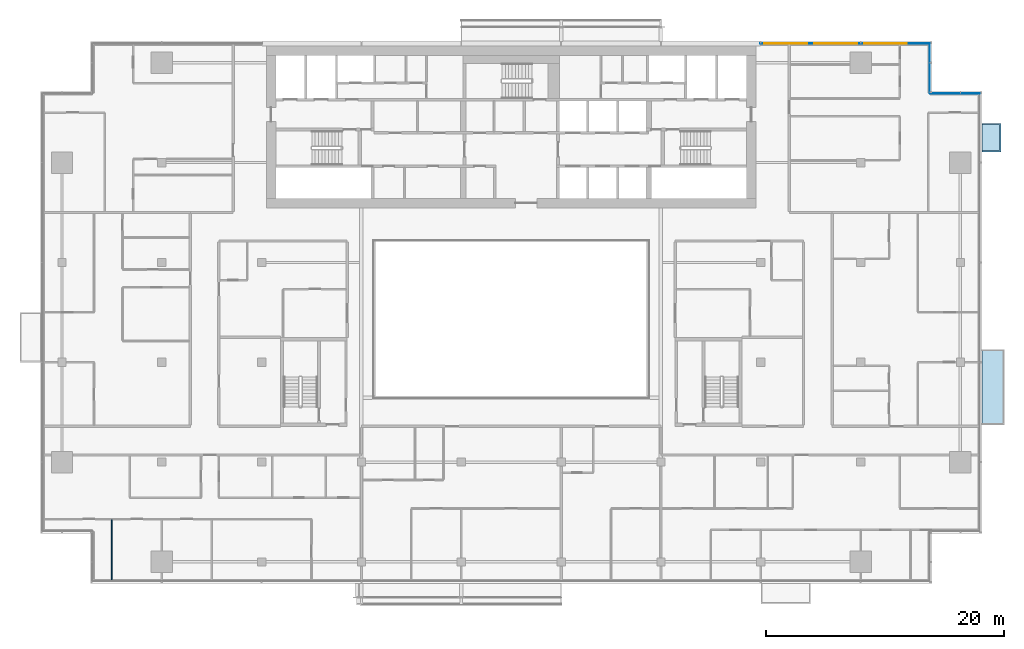
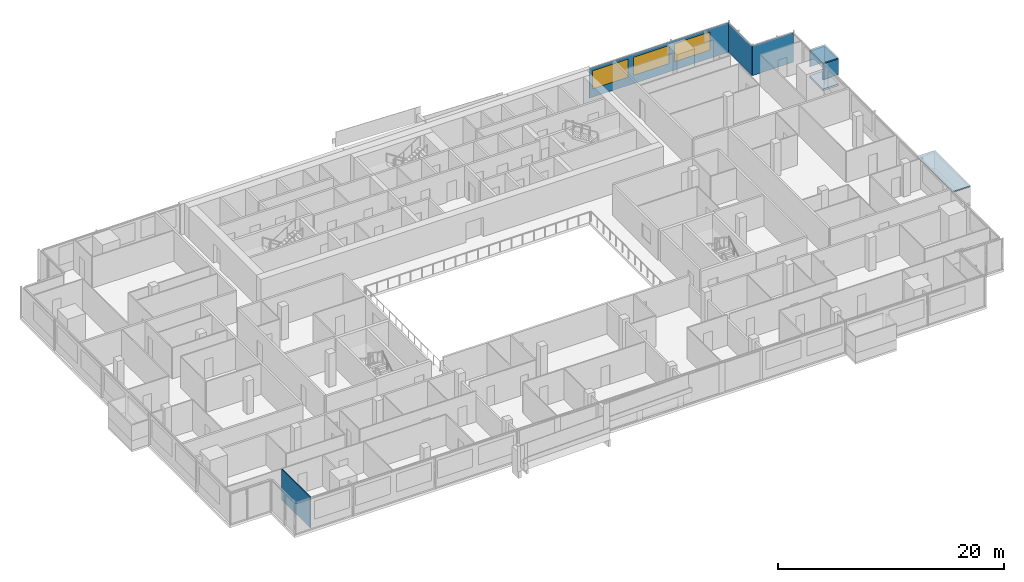
# One storey, part 16 of 27: 6 plates, 3 windows, 1 slab, 1 wall, 3 openings, 3 elements without a shape of their own.
"""IFC4 building model written with IfcOpenShell, lengths in metres."""

from ifc_helpers import new_model, si_unit, direction, frame, frame_2d, origin, place, context, subcontext, project, spatial, polyline, rectangle, outline, extrude, material, layer, layer_set, type_object, element, fill, aggregate, save


model = new_model("IFC4")

# Units and contexts
model_context = context("Model", 3, precision=1e-05, world=origin(), true_north=direction((0.0, 1.0)))
body_context = subcontext(model_context, "Body", "Model", "MODEL_VIEW")
ifc_project = project(units=[si_unit("LENGTHUNIT", "METRE"), si_unit("AREAUNIT", "SQUARE_METRE"), si_unit("VOLUMEUNIT", "CUBIC_METRE"), si_unit("PLANEANGLEUNIT", "RADIAN"), si_unit("MASSUNIT", "GRAM", prefix="KILO")], contexts=[model_context])

# Site, building, storey
site_placement = place(None, origin())
site = spatial("IfcSite", under=ifc_project, at=site_placement, CompositionType="ELEMENT")
building_placement = place(site_placement, origin())
building = spatial("IfcBuilding", under=site, at=building_placement, Name="Saffron Gate Tower", CompositionType="ELEMENT")
storey_placement = place(building_placement, frame((0.0, 0.0, 172.64990234375)))
storey = spatial("IfcBuildingStorey", under=building, at=storey_placement, Name="L42", CompositionType="ELEMENT", Elevation=172.64990234375)

# Curtain wall, plate, openings, windows
ifc_material_1 = material(Name="Aluminium, bronze anodised", Category="aluminium")
curtain_wall_type_1 = type_object("IfcCurtainWallType", Name="CWS3 curtain wall rear facade", PredefinedType="NOTDEFINED", material=ifc_material_1)
curtain_wall_1_placement = place(storey_placement, origin())
curtain_wall_1 = element("IfcCurtainWall", 1, at=curtain_wall_1_placement, inside=storey, type_object=curtain_wall_type_1, Name="CWS3 run 7", PredefinedType="NOTDEFINED")
ifc_material_2 = material(Name="Fritted grey-tinted laminated glass", Category="glass")
ifc_layer_1 = layer(ifc_material_2, 0.028076171875)
ifc_layer_set_1 = layer_set([ifc_layer_1], Name="CWS3 fixed glass")
plate_type_1 = type_object("IfcPlateType", Name="CWS3 fixed glass", PredefinedType="CURTAIN_PANEL", material=ifc_layer_set_1)
plate_1_placement = place(storey_placement, frame((122.81201171875, 75.426025390625, 0.0), z_axis=(0.0, 0.0, 1.0), x_axis=(-1.0, 0.0, 0.0)))
plate_1 = element("IfcPlate", 2, at=plate_1_placement, type_object=plate_type_1, Name="CWS3 glass panel", PredefinedType="CURTAIN_PANEL", context=body_context, shape_type="SweptSolid", body=[
    extrude(rectangle(XDim=14.2470703125, YDim=0.028076171875, at=frame_2d((7.12353515625, 0.0))), origin(), (0.0, 0.0, 1.0), 3.2001953125),
])
opening_1_placement = place(plate_1_placement, frame((1.912109375, 0.0, 0.89990234375)))
opening_1 = element("IfcOpeningElement", 3, at=opening_1_placement, cuts=plate_1, Name="Opening W1", PredefinedType="OPENING", context=body_context, shape_type="SweptSolid", body=[
    extrude(rectangle(XDim=3.60009765625, YDim=1.949951171875, at=frame_2d((1.800048828125, 0.97509765625))), frame((0.0, 0.02392578125, 0.0), z_axis=(0.0, -1.0, 0.0), x_axis=(1.0, 0.0, 0.0)), (0.0, 0.0, 1.0), 0.048095703125),
])
opening_2_placement = place(plate_1_placement, frame((6.112060546875, 0.0, 0.89990234375)))
opening_2 = element("IfcOpeningElement", 4, at=opening_2_placement, cuts=plate_1, Name="Opening W1", PredefinedType="OPENING", context=body_context, shape_type="SweptSolid", body=[
    extrude(rectangle(XDim=3.60009765625, YDim=1.949951171875, at=frame_2d((1.800048828125, 0.97509765625))), frame((0.0, 0.02392578125, 0.0), z_axis=(0.0, -1.0, 0.0), x_axis=(1.0, 0.0, 0.0)), (0.0, 0.0, 1.0), 0.048095703125),
])
opening_3_placement = place(plate_1_placement, frame((10.31201171875, 0.0, 0.89990234375)))
opening_3 = element("IfcOpeningElement", 5, at=opening_3_placement, cuts=plate_1, Name="Opening W1", PredefinedType="OPENING", context=body_context, shape_type="SweptSolid", body=[
    extrude(rectangle(XDim=3.60009765625, YDim=1.949951171875, at=frame_2d((1.800048828125, 0.97509765625))), frame((0.0, 0.02392578125, 0.0), z_axis=(0.0, -1.0, 0.0), x_axis=(1.0, 0.0, 0.0)), (0.0, 0.0, 1.0), 0.048095703125),
])
ifc_material_3 = material(Name="Fritted bronze-tinted laminated glass in bronze frame", Category="glass")
ifc_layer_2 = layer(ifc_material_3, 0.06005859375)
ifc_layer_set_2 = layer_set([ifc_layer_2], Name="W1 operable panel 3600x1950")
window_type = type_object("IfcWindowType", Name="W1 operable panel 3600x1950", PartitioningType="DOUBLE_PANEL_HORIZONTAL", PredefinedType="WINDOW", material=ifc_layer_set_2)
window_1_placement = place(opening_1_placement, origin())
window_1 = element("IfcWindow", 6, at=window_1_placement, type_object=window_type, Name="W1 operable panel", OverallHeight=1.949951171875, OverallWidth=3.60009765625, PartitioningType="SINGLE_PANEL", PredefinedType="WINDOW", context=body_context, shape_type="SweptSolid", body=[
    extrude(rectangle(XDim=3.60009765625, YDim=1.949951171875, at=frame_2d((1.800048828125, 0.97509765625))), frame((0.0, 0.013671875, 0.0), z_axis=(0.0, -1.0, 0.0), x_axis=(1.0, 0.0, 0.0)), (0.0, 0.0, 1.0), 0.027587890625),
])
fill(opening_1, window_1)
window_2_placement = place(opening_2_placement, origin())
window_2 = element("IfcWindow", 7, at=window_2_placement, type_object=window_type, Name="W1 operable panel", OverallHeight=1.949951171875, OverallWidth=3.60009765625, PartitioningType="SINGLE_PANEL", PredefinedType="WINDOW", context=body_context, shape_type="SweptSolid", body=[
    extrude(rectangle(XDim=3.60009765625, YDim=1.949951171875, at=frame_2d((1.800048828125, 0.97509765625))), frame((0.0, 0.013671875, 0.0), z_axis=(0.0, -1.0, 0.0), x_axis=(1.0, 0.0, 0.0)), (0.0, 0.0, 1.0), 0.027587890625),
])
fill(opening_2, window_2)
window_3_placement = place(opening_3_placement, origin())
window_3 = element("IfcWindow", 8, at=window_3_placement, type_object=window_type, Name="W1 operable panel", OverallHeight=1.949951171875, OverallWidth=3.60009765625, PartitioningType="SINGLE_PANEL", PredefinedType="WINDOW", context=body_context, shape_type="SweptSolid", body=[
    extrude(rectangle(XDim=3.60009765625, YDim=1.949951171875, at=frame_2d((1.800048828125, 0.97509765625))), frame((0.0, 0.013671875, 0.0), z_axis=(0.0, -1.0, 0.0), x_axis=(1.0, 0.0, 0.0)), (0.0, 0.0, 1.0), 0.027587890625),
])
fill(opening_3, window_3)
aggregate(curtain_wall_1, [plate_1, window_1, window_2, window_3])

# Curtain wall, plate
curtain_wall_type_2 = type_object("IfcCurtainWallType", Name="CWS4 curtain wall corner returns", PredefinedType="NOTDEFINED", material=ifc_material_1)
curtain_wall_2_placement = place(storey_placement, origin())
curtain_wall_2 = element("IfcCurtainWall", 9, at=curtain_wall_2_placement, inside=storey, type_object=curtain_wall_type_2, Name="CWS4 run 5", PredefinedType="NOTDEFINED")
ifc_material_4 = material(Name="Fritted bronze-tinted laminated glass", Category="glass")
ifc_layer_3 = layer(ifc_material_4, 0.028076171875)
ifc_layer_set_3 = layer_set([ifc_layer_3], Name="CWS4 fixed glass")
plate_type_2 = type_object("IfcPlateType", Name="CWS4 fixed glass", PredefinedType="CURTAIN_PANEL", material=ifc_layer_set_3)
plate_2_placement = place(storey_placement, frame((127.011962890625, 71.22607421875, 0.0), z_axis=(0.0, 0.0, 1.0), x_axis=(-1.0, 0.0, 0.0)))
plate_2 = element("IfcPlate", 10, at=plate_2_placement, type_object=plate_type_2, Name="CWS4 glass panel", PredefinedType="CURTAIN_PANEL", context=body_context, shape_type="SweptSolid", body=[
    extrude(rectangle(XDim=4.171875, YDim=0.028076171875, at=frame_2d((2.0859375, 0.0))), origin(), (0.0, 0.0, 1.0), 3.2001953125),
])
aggregate(curtain_wall_2, [plate_2])

curtain_wall_3_placement = place(storey_placement, origin())
curtain_wall_3 = element("IfcCurtainWall", 11, at=curtain_wall_3_placement, inside=storey, type_object=curtain_wall_type_2, Name="CWS4 run 6", PredefinedType="NOTDEFINED")
plate_3_placement = place(storey_placement, frame((122.825927734375, 71.239990234375, 0.0), z_axis=(0.0, 0.0, 1.0), x_axis=(0.0, 1.0, 0.0)))
plate_3 = element("IfcPlate", 12, at=plate_3_placement, type_object=plate_type_2, Name="CWS4 glass panel", PredefinedType="CURTAIN_PANEL", context=body_context, shape_type="SweptSolid", body=[
    extrude(rectangle(XDim=4.172119140625, YDim=0.028076171875, at=frame_2d((2.0859375, 0.0))), origin(), (0.0, 0.0, 1.0), 3.2001953125),
])
aggregate(curtain_wall_3, [plate_3])

# Slab
ifc_material_5 = material(Name="Timber deck on bronze frame", Category="wood")
ifc_layer_4 = layer(ifc_material_5, 0.199951171875)
ifc_layer_set_4 = layer_set([ifc_layer_4], Name="WB1 box floor")
slab_type = type_object("IfcSlabType", Name="WB1 box floor", PredefinedType="FLOOR", material=ifc_layer_set_4)
slab_placement = place(storey_placement, frame((0.0, 0.0, -0.199951171875)))
element("IfcSlab", 13, at=slab_placement, inside=storey, type_object=slab_type, Name="WINDOW BOX floor", PredefinedType="FLOOR", context=body_context, shape_type="SweptSolid", body=[
    extrude(outline(polyline([(127.199951171875, 66.300048828125), (127.199951171875, 68.699951171875), (128.800048828125, 68.699951171875), (128.800048828125, 66.300048828125), (127.199951171875, 66.300048828125)])), origin(), (0.0, 0.0, 1.0), 0.199951171875),
])

# Plates
ifc_layer_5 = layer(ifc_material_1, 0.1201171875)
ifc_layer_set_5 = layer_set([ifc_layer_5], Name="WB2 box roof")
plate_type_3 = type_object("IfcPlateType", Name="WB2 box roof", PredefinedType="SHEET", material=ifc_layer_set_5)
plate_4_placement = place(storey_placement, frame((0.0, 0.0, 2.7001953125)))
element("IfcPlate", 14, at=plate_4_placement, inside=storey, type_object=plate_type_3, Name="WINDOW BOX roof", PredefinedType="SHEET", context=body_context, shape_type="SweptSolid", body=[
    extrude(outline(polyline([(127.199951171875, 43.35009765625), (127.199951171875, 49.64990234375), (129.06689453125, 49.64990234375), (129.06689453125, 43.35009765625), (127.199951171875, 43.35009765625)])), origin(), (0.0, 0.0, 1.0), 0.119873046875),
])
plate_5_placement = place(storey_placement, frame((0.0, 0.0, 2.7001953125)))
element("IfcPlate", 15, at=plate_5_placement, inside=storey, type_object=plate_type_3, Name="WINDOW BOX roof", PredefinedType="SHEET", context=body_context, shape_type="SweptSolid", body=[
    extrude(outline(polyline([(127.199951171875, 66.300048828125), (127.199951171875, 68.699951171875), (128.800048828125, 68.699951171875), (128.800048828125, 66.300048828125), (127.199951171875, 66.300048828125)])), origin(), (0.0, 0.0, 1.0), 0.119873046875),
])
ifc_material_6 = material(Name="Clear low-iron laminated glass", Category="glass")
ifc_layer_6 = layer(ifc_material_6, 0.10009765625)
ifc_layer_set_6 = layer_set([ifc_layer_6], Name="WB6 box glazing")
plate_type_4 = type_object("IfcPlateType", Name="WB6 box glazing", PredefinedType="SHEET", material=ifc_layer_set_6)
plate_6_placement = place(storey_placement, frame((0.0, 0.0, 1.0)))
element("IfcPlate", 16, at=plate_6_placement, inside=storey, type_object=plate_type_4, Name="WINDOW BOX glazing", PredefinedType="SHEET", context=body_context, shape_type="SweptSolid", body=[
    extrude(outline(polyline([(127.199951171875, 66.300048828125), (127.199951171875, 66.39990234375), (128.699951171875, 66.39990234375), (128.699951171875, 68.60009765625), (127.199951171875, 68.60009765625), (127.199951171875, 68.699951171875), (128.800048828125, 68.699951171875), (128.800048828125, 66.300048828125), (127.199951171875, 66.300048828125)])), origin(), (0.0, 0.0, 1.0), 1.7001953125),
])

# Wall
ifc_material_7 = material(Name="Plasterboard on steel studs", Category="steel")
ifc_layer_7 = layer(ifc_material_7, 0.10009765625)
ifc_layer_set_7 = layer_set([ifc_layer_7], Name="PW1 Partition 100")
wall_type = type_object("IfcWallType", Name="PW1 Partition 100", PredefinedType="PARTITIONING", material=ifc_layer_set_7)
wall_placement = place(storey_placement, frame((54.0, 35.35009765625, 0.0), z_axis=(0.0, 0.0, 1.0), x_axis=(0.0, -1.0, 0.0)))
element("IfcWall", 17, at=wall_placement, inside=storey, type_object=wall_type, Name="Partition C3-60", PredefinedType="PARTITIONING", context=body_context, shape_type="SweptSolid", body=[
    extrude(rectangle(XDim=5.070068359375, YDim=0.10009765625, at=frame_2d((2.53515625, 0.0))), origin(), (0.0, 0.0, 1.0), 3.320068359375),
])

save(model, "model.ifc")
